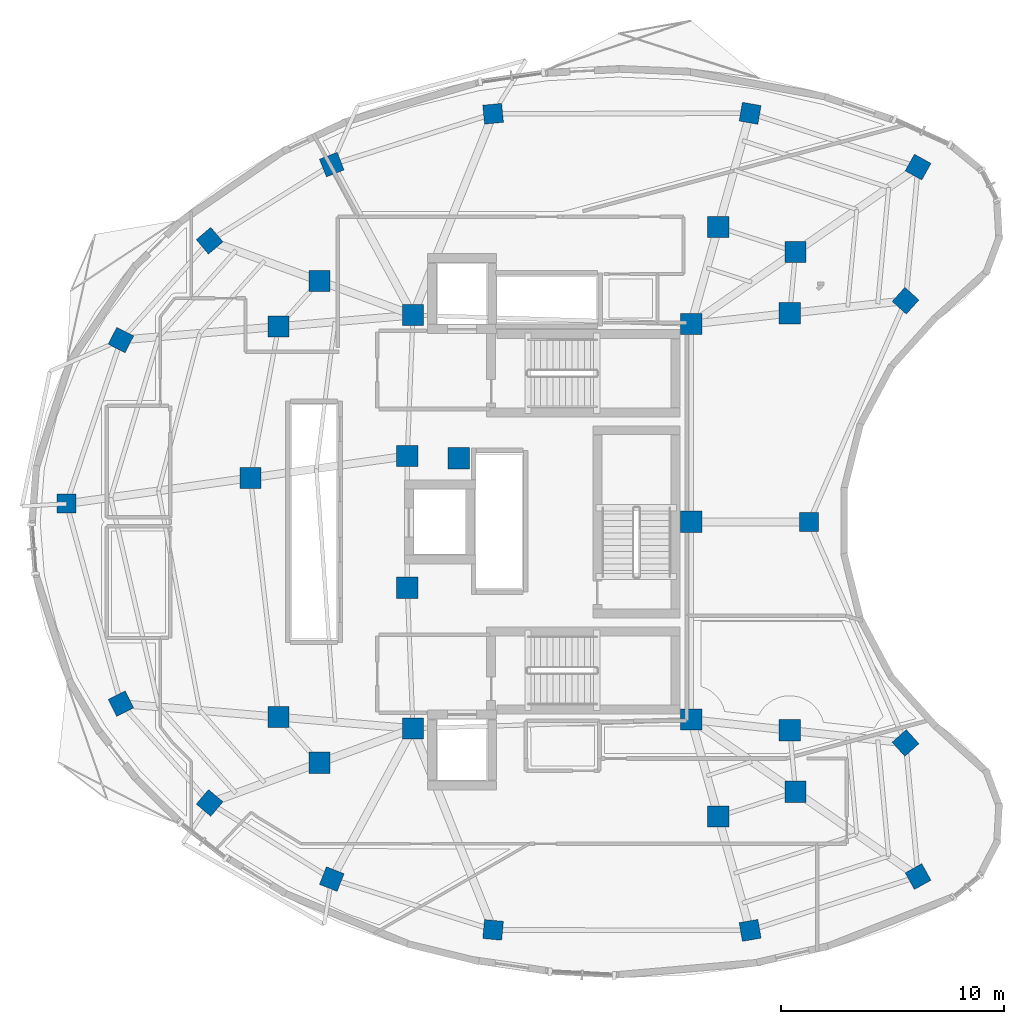
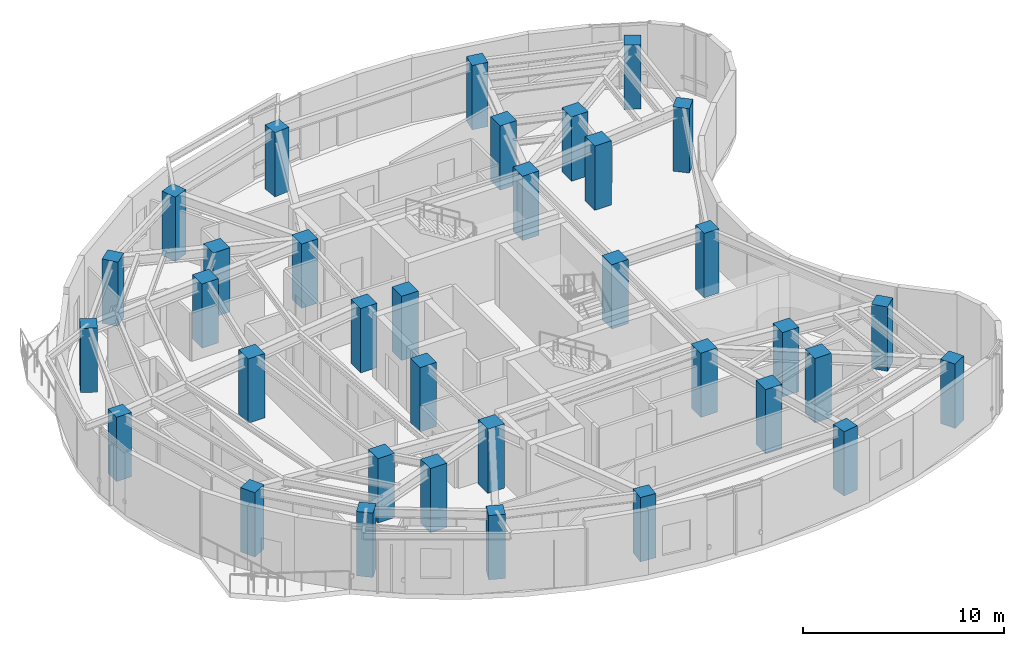
# One storey, part 1 of 13: 35 columns.
"""IFC4 building model written with IfcOpenShell, lengths in metres."""

from ifc_helpers import new_model, si_unit, direction, frame, origin, origin_2d, place, context, subcontext, project, spatial, rectangle, extrude, material, material_profile, profile_set, type_object, element, save


model = new_model("IFC4")

# Units and contexts
model_context = context("Model", 3, precision=1e-05, world=origin(), true_north=direction((0.0, 1.0)))
body_context = subcontext(model_context, "Body", "Model", "MODEL_VIEW")
ifc_project = project(units=[si_unit("LENGTHUNIT", "METRE"), si_unit("AREAUNIT", "SQUARE_METRE"), si_unit("VOLUMEUNIT", "CUBIC_METRE"), si_unit("PLANEANGLEUNIT", "RADIAN"), si_unit("MASSUNIT", "GRAM", prefix="KILO")], contexts=[model_context])

# Site, building, storey
site_placement = place(None, origin())
site = spatial("IfcSite", under=ifc_project, at=site_placement, CompositionType="ELEMENT")
building_placement = place(site_placement, origin())
building = spatial("IfcBuilding", under=site, at=building_placement, Name="Korentha Bioscience Tower", CompositionType="ELEMENT")
storey_placement = place(building_placement, frame((0.0, 0.0, 268.800048828125)))
storey = spatial("IfcBuildingStorey", under=building, at=storey_placement, Name="L62", CompositionType="ELEMENT", Elevation=268.800048828125)

# Columns
ifc_material_1 = material(Name="Concrete C65", Category="concrete")
ifc_material_profile_1 = material_profile(ifc_material_1, rectangle(XDim=0.949951171875, YDim=0.949951171875, at=origin_2d()), Name="Concrete C65")
ifc_profile_set_1 = profile_set([ifc_material_profile_1], Name="Concrete C65 (COL-CP09)")
column_type_1 = type_object("IfcColumnType", Name="Core Pilaster Column RC 950x950", PredefinedType="PILASTER", material=ifc_profile_set_1)
for number, where, z_axis, x_axis, name in (
    (1, (37.550048828125, 35.85009765625, -0.00048828125), (0.0, 0.0, 1.0), (1.0, 0.0, 0.0), "L62 Core Pilaster CP-01"),
    (2, (25.10009765625, 36.25, -0.00048828125), (0.0, 0.0, 1.0), (1.0, 0.0, 0.0), "L62 Core Pilaster CP-02"),
    (3, (24.85009765625, 29.949951171875, -0.00048828125), (0.0, 0.0, 1.0), (1.0, 0.0, 0.0), "L62 Core Pilaster CP-03"),
    (4, (27.14990234375, 29.85009765625, -0.00048828125), (0.0, 0.0, 1.0), (1.0, 0.0, 0.0), "L62 Core Pilaster CP-04"),
    (5, (24.85009765625, 24.050048828125, -0.00048828125), (0.0, 0.0, 1.0), (1.0, 0.0, 0.0), "L62 Core Pilaster CP-05"),
    (6, (25.10009765625, 17.75, -0.00048828125), (0.0, 0.0, 1.0), (1.0, 0.0, 0.0), "L62 Core Pilaster CP-06"),
    (7, (37.550048828125, 18.14990234375, -0.00048828125), (0.0, 0.0, 1.0), (1.0, 0.0, 0.0), "L62 Core Pilaster CP-07"),
    (8, (37.550048828125, 27.0, -0.00048828125), (0.0, 0.0, 1.0), (1.0, 0.0, 0.0), "L62 Core Pilaster CP-08"),
):
    element("IfcColumn", number, at=place(storey_placement, frame(where, z_axis=z_axis, x_axis=x_axis)), inside=storey, type_object=column_type_1, Name=name, PredefinedType="PILASTER", context=body_context, shape_type="SweptSolid", body=[
        extrude(rectangle(XDim=0.949951171875, YDim=0.949951171875, at=origin_2d()), origin(), (0.0, 0.0, 1.0), 3.90087890625),
    ])
ifc_material_profile_2 = material_profile(ifc_material_1, rectangle(XDim=0.949951171875, YDim=0.949951171875, at=origin_2d()), Name="Concrete C65")
ifc_profile_set_2 = profile_set([ifc_material_profile_2], Name="Concrete C65 (COL-MR09)")
column_type_2 = type_object("IfcColumnType", Name="Mid-Ring Lab Column RC 950x950", PredefinedType="COLUMN", material=ifc_profile_set_2)
for number, where, z_axis, x_axis, name in (
    (9, (42.2216796875, 39.08056640625, -0.00048828125), (0.0, 0.0, 1.0), (1.0, 0.0, 0.0), "L62 Mid-Ring Column 01"),
    (10, (38.76416015625, 40.18896484375, -0.00048828125), (0.0, 0.0, 1.0), (1.0, 0.0, 0.0), "L62 Mid-Ring Column 02"),
    (11, (20.915283203125, 37.78125, -0.00048828125), (0.0, 0.0, 1.0), (1.0, 0.0, 0.0), "L62 Mid-Ring Column 05"),
    (12, (19.08984375, 35.737548828125, -0.00048828125), (0.0, 0.0, 1.0), (1.0, 0.0, 0.0), "L62 Mid-Ring Column 06"),
    (13, (17.833740234375, 28.9658203125, -0.00048828125), (0.0, 0.0, 1.0), (1.0, 0.0, 0.0), "L62 Mid-Ring Column 07"),
    (14, (19.08984375, 18.262451171875, -0.00048828125), (0.0, 0.0, 1.0), (1.0, 0.0, 0.0), "L62 Mid-Ring Column 08"),
    (15, (20.915283203125, 16.21875, -0.00048828125), (0.0, 0.0, 1.0), (1.0, 0.0, 0.0), "L62 Mid-Ring Column 09"),
    (16, (38.76416015625, 13.81103515625, -0.00048828125), (0.0, 0.0, 1.0), (1.0, 0.0, 0.0), "L62 Mid-Ring Column 12"),
    (17, (42.2216796875, 14.91943359375, -0.00048828125), (0.0, 0.0, 1.0), (1.0, 0.0, 0.0), "L62 Mid-Ring Column 13"),
    (18, (41.9638671875, 17.669189453125, -0.00048828125), (0.0, 0.0, 1.0), (1.0, 0.0, 0.0), "L62 Mid-Ring Column 14"),
    (19, (41.9638671875, 36.330810546875, -0.00048828125), (0.0, 0.0, 1.0), (1.0, 0.0, 0.0), "L62 Mid-Ring Column 16"),
):
    element("IfcColumn", number, at=place(storey_placement, frame(where, z_axis=z_axis, x_axis=x_axis)), inside=storey, type_object=column_type_2, Name=name, PredefinedType="COLUMN", context=body_context, shape_type="SweptSolid", body=[
        extrude(rectangle(XDim=0.949951171875, YDim=0.949951171875, at=origin_2d()), origin(), (0.0, 0.0, 1.0), 3.90087890625),
    ])
ifc_material_2 = material(Name="Concrete C50", Category="concrete")
ifc_material_profile_3 = material_profile(ifc_material_2, rectangle(XDim=0.85009765625, YDim=0.85009765625, at=origin_2d()), Name="Concrete C50")
ifc_profile_set_3 = profile_set([ifc_material_profile_3], Name="Concrete C50 (COL-P08)")
column_type_3 = type_object("IfcColumnType", Name="Perimeter Column RC 850x850", PredefinedType="COLUMN", material=ifc_profile_set_3)
for number, where, z_axis, x_axis, name in (
    (20, (47.7060546875, 42.873046875, -0.00048828125), (0.0, 0.0, 1.0), (-0.874535078577, 0.484962262797, 0.0), "L62 Perimeter Column 01"),
    (21, (40.189453125, 45.2822265625, -0.00048828125), (0.0, 0.0, 1.0), (-0.984868307662, 0.173304404339, 0.0), "L62 Perimeter Column 02"),
    (22, (28.68798828125, 45.2607421875, -0.00048828125), (0.0, 0.0, 1.0), (0.995462868748, 0.095150811579, 0.0), "L62 Perimeter Column 03"),
    (23, (21.468505859375, 42.986328125, -0.00048828125), (0.0, 0.0, 1.0), (0.930225540858, 0.366988341962, 0.0), "L62 Perimeter Column 04"),
    (24, (16.002685546875, 39.57861328125, -0.00048828125), (0.0, 0.0, 1.0), (0.764246456939, 0.644924300253, 0.0), "L62 Perimeter Column 05"),
    (25, (12.034423828125, 35.135986328125, -0.00048828125), (0.0, 0.0, 1.0), (0.453057191132, 0.891481453292, 0.0), "L62 Perimeter Column 06"),
    (26, (9.597412109375, 27.810302734375, -0.00048828125), (0.0, 0.0, 1.0), (0.0, 1.0, 0.0), "L62 Perimeter Column 07"),
    (27, (12.034423828125, 18.864013671875, -0.00048828125), (0.0, 0.0, 1.0), (-0.453057191132, 0.891481453292, 0.0), "L62 Perimeter Column 08"),
    (28, (16.002685546875, 14.42138671875, -0.00048828125), (0.0, 0.0, 1.0), (-0.764246456939, 0.644924300253, 0.0), "L62 Perimeter Column 09"),
    (29, (21.468505859375, 11.013671875, -0.00048828125), (0.0, 0.0, 1.0), (-0.930225540858, 0.366988341962, 0.0), "L62 Perimeter Column 10"),
    (30, (28.68798828125, 8.7392578125, -0.00048828125), (0.0, 0.0, 1.0), (-0.995462868748, 0.095150811579, 0.0), "L62 Perimeter Column 11"),
    (31, (40.189453125, 8.7177734375, -0.00048828125), (0.0, 0.0, 1.0), (0.984868307662, 0.173304404339, 0.0), "L62 Perimeter Column 12"),
    (32, (47.7060546875, 11.126953125, -0.00048828125), (0.0, 0.0, 1.0), (0.874535078577, 0.484962262797, 0.0), "L62 Perimeter Column 13"),
    (33, (47.1455078125, 17.1044921875, -0.00048828125), (0.0, 0.0, 1.0), (-0.669130606359, 0.743144825477, 0.0), "L62 Perimeter Column 14"),
    (34, (42.833984375, 27.0, -0.00048828125), (0.0, 0.0, 1.0), (0.0, 1.0, 0.0), "L62 Perimeter Column 15"),
    (35, (47.1455078125, 36.8955078125, -0.00048828125), (0.0, 0.0, 1.0), (0.669130606359, 0.743144825477, 0.0), "L62 Perimeter Column 16"),
):
    element("IfcColumn", number, at=place(storey_placement, frame(where, z_axis=z_axis, x_axis=x_axis)), inside=storey, type_object=column_type_3, Name=name, PredefinedType="COLUMN", context=body_context, shape_type="SweptSolid", body=[
        extrude(rectangle(XDim=0.85009765625, YDim=0.85009765625, at=origin_2d()), origin(), (0.0, 0.0, 1.0), 3.90087890625),
    ])

save(model, "model.ifc")
